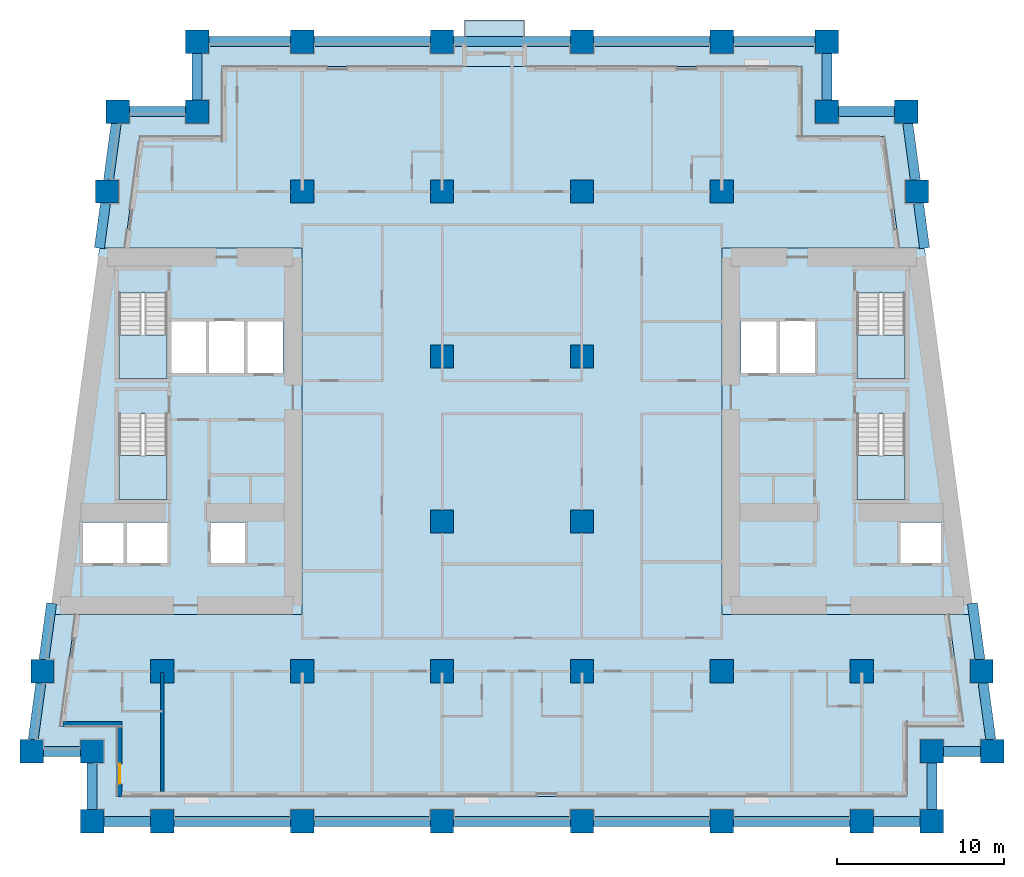
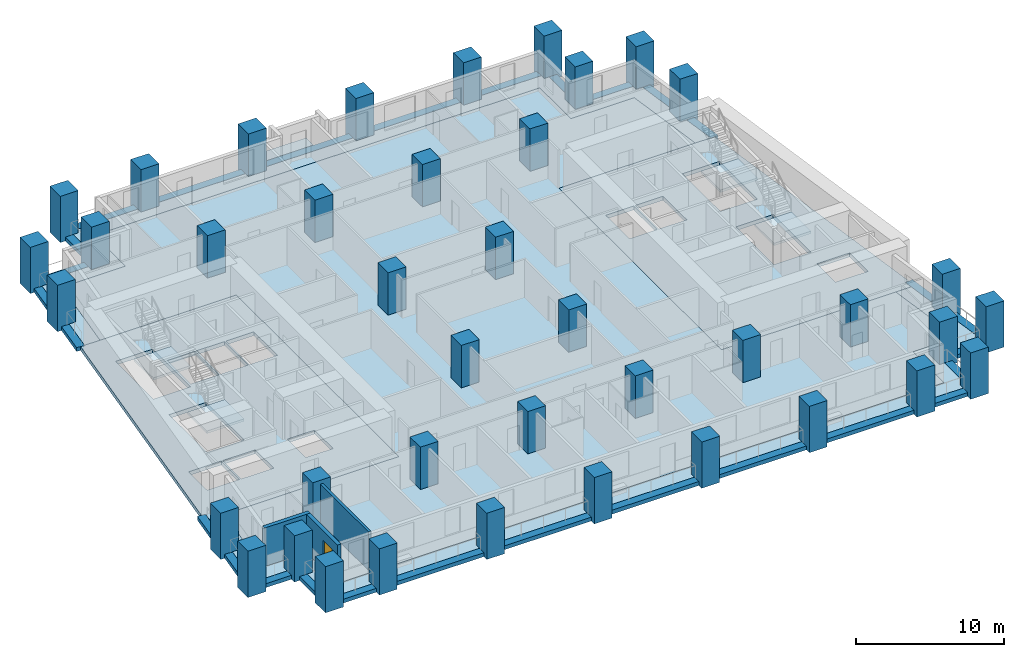
# One storey, part 1 of 12: 40 columns, 28 beams, 10 slabs, 3 walls, 1 door, 1 opening, 4 elements without a shape of their own.
"""IFC4 building model written with IfcOpenShell, lengths in metres."""

import ifcopenshell
import ifcopenshell.guid

model = None  # the IFC model being written
_history = None  # IfcOwnerHistory: only IFC2X3 demands one
_inside = {}  # id of a spatial element -> (the spatial element, [elements in it])
_under = {}  # id of a project, library or spatial element -> (it, [spatial elements below it])
_declared = {}  # id of a project -> (the project, [libraries it declares])
_typed = {}  # id of a type object -> (the type object, [elements of that type])
_made_of = {}  # id of a material, layer set ... -> (it, [elements and type objects made of it])


def new_model(schema):
    """Start an empty IFC model of exactly this schema.

    Asked for "IFC4X3", IfcOpenShell would pick the latest addendum, in which some entities
    have other attributes; the version numbers below select the first issue.
    IFC2X3 requires an IfcOwnerHistory on every rooted entity: one is made here for all.
    """
    global model, _history
    if schema == "IFC4X3":
        model = ifcopenshell.file(schema_version=(4, 3, 0, 0))
    else:
        model = ifcopenshell.file(schema=schema)
    _inside.clear()
    _under.clear()
    _declared.clear()
    _typed.clear()
    _made_of.clear()
    _history = None
    if model.schema == "IFC2X3":
        org = make("IfcOrganization", Name="unknown")
        user = make(
            "IfcPersonAndOrganization",
            ThePerson=make("IfcPerson", FamilyName="unknown"),
            TheOrganization=org,
        )
        app = make(
            "IfcApplication",
            ApplicationDeveloper=org,
            Version="unknown",
            ApplicationFullName="unknown",
            ApplicationIdentifier="unknown",
        )
        _history = make(
            "IfcOwnerHistory",
            OwningUser=user,
            OwningApplication=app,
            ChangeAction="ADDED",
            CreationDate=0,
        )
    return model


def make(cls, **values):
    """One entity of the class cls with the attributes given. An attribute that is None is left unset."""
    return model.create_entity(
        cls, **{name: value for name, value in values.items() if value is not None}
    )


def rooted(cls, **values):
    """An entity with a GlobalId (a new one), such as an element, a storey or a relation."""
    return make(cls, GlobalId=ifcopenshell.guid.new(), OwnerHistory=_history, **values)


def si_unit(unit_type, name, prefix=None):
    """IfcSIUnit, for example si_unit("LENGTHUNIT", "METRE", prefix="MILLI")."""
    return make("IfcSIUnit", UnitType=unit_type, Prefix=prefix, Name=name)


def assignment(units):
    """IfcUnitAssignment: the units of a project."""
    return None if units is None else make("IfcUnitAssignment", Units=units)


def point(xyz):
    """IfcCartesianPoint."""
    return None if xyz is None else make("IfcCartesianPoint", Coordinates=xyz)


def direction(xyz):
    """IfcDirection."""
    return None if xyz is None else make("IfcDirection", DirectionRatios=xyz)


def frame(location, z_axis=None, x_axis=None):
    """IfcAxis2Placement3D, a coordinate frame: its origin and axes. An axis left out is left unset."""
    return make(
        "IfcAxis2Placement3D",
        Location=point(location),
        Axis=direction(z_axis),
        RefDirection=direction(x_axis),
    )


def frame_2d(location, x_axis=None):
    """IfcAxis2Placement2D, a coordinate frame in the plane: its origin and x axis."""
    return make(
        "IfcAxis2Placement2D", Location=point(location), RefDirection=direction(x_axis)
    )


def origin():
    """The frame at (0, 0, 0) with its axes left unset."""
    return frame((0.0, 0.0, 0.0))


def origin_2d():
    """The frame at (0, 0) in the plane with its x axis left unset."""
    return frame_2d((0.0, 0.0))


def place(relative_to, where):
    """IfcLocalPlacement: puts the frame where relative to a parent placement (None: the world)."""
    return make(
        "IfcLocalPlacement", PlacementRelTo=relative_to, RelativePlacement=where
    )


def context(
    kind, dimensions, precision=None, world=None, true_north=None, identifier=None
):
    """IfcGeometricRepresentationContext, for example the 3D "Model" context."""
    return make(
        "IfcGeometricRepresentationContext",
        ContextIdentifier=identifier,
        ContextType=kind,
        CoordinateSpaceDimension=dimensions,
        Precision=precision,
        WorldCoordinateSystem=world,
        TrueNorth=true_north,
    )


def subcontext(parent, identifier, kind, view, scale=None):
    """IfcGeometricRepresentationSubContext, for example "Body" below "Model"."""
    return make(
        "IfcGeometricRepresentationSubContext",
        ContextIdentifier=identifier,
        ContextType=kind,
        ParentContext=parent,
        TargetScale=scale,
        TargetView=view,
    )


def project(units=None, contexts=None):
    """IfcProject with its units and contexts."""
    return rooted(
        "IfcProject",
        Name="project",
        RepresentationContexts=contexts,
        UnitsInContext=assignment(units),
    )


def spatial(cls, under=None, at=None, **own):
    """A site, building, storey or space (cls), placed at a placement, below another one or the project."""
    s = rooted(cls, ObjectPlacement=at, **own)
    if under is not None:
        _under.setdefault(under.id(), (under, []))[1].append(s)
    return s


def polyline(points):
    """IfcPolyline through the points."""
    return make("IfcPolyline", Points=[point(p) for p in points])


def profile(cls, at=None, kind="AREA", **sizes):
    """A parametric profile (cls). Its sizes go by their IFC names, for example OverallWidth=200.0."""
    return make(cls, ProfileType=kind, Position=at, **sizes)


def rectangle(**sizes):
    """IfcRectangleProfileDef."""
    return profile("IfcRectangleProfileDef", **sizes)


def outline(outer, holes=None, kind="AREA"):
    """IfcArbitraryClosedProfileDef: a profile drawn as a closed curve; with holes, ...WithVoids."""
    if holes is None:
        return make("IfcArbitraryClosedProfileDef", ProfileType=kind, OuterCurve=outer)
    return make(
        "IfcArbitraryProfileDefWithVoids",
        ProfileType=kind,
        OuterCurve=outer,
        InnerCurves=holes,
    )


def extrude(swept, where, along, depth):
    """IfcExtrudedAreaSolid: the profile swept, set in the frame where, extruded along a direction by depth."""
    return make(
        "IfcExtrudedAreaSolid",
        SweptArea=swept,
        Position=where,
        ExtrudedDirection=direction(along),
        Depth=depth,
    )


def shape(context_of_items, identifier, shape_type, items):
    """IfcShapeRepresentation: the items that make up one representation, for example the "Body"."""
    return make(
        "IfcShapeRepresentation",
        ContextOfItems=context_of_items,
        RepresentationIdentifier=identifier,
        RepresentationType=shape_type,
        Items=items,
    )


def material(Name=None, Category=None):
    """IfcMaterial."""
    return make("IfcMaterial", Name=Name, Category=Category)


def layer(
    of_material, thickness, ventilated=None, Name=None, Category=None, Priority=None
):
    """IfcMaterialLayer: one layer of a wall or slab, of a material (None: an air gap)."""
    return make(
        "IfcMaterialLayer",
        Material=of_material,
        LayerThickness=thickness,
        IsVentilated=ventilated,
        Name=Name,
        Category=Category,
        Priority=Priority,
    )


def layer_set(layers, Name=None):
    """IfcMaterialLayerSet."""
    return make("IfcMaterialLayerSet", MaterialLayers=layers, LayerSetName=Name)


def material_profile(
    of_material, cross_section, Name=None, Category=None, Priority=None
):
    """IfcMaterialProfile: a cross section and its material."""
    return make(
        "IfcMaterialProfile",
        Name=Name,
        Material=of_material,
        Profile=cross_section,
        Priority=Priority,
        Category=Category,
    )


def profile_set(profiles, Name=None, composite=None):
    """IfcMaterialProfileSet."""
    return make(
        "IfcMaterialProfileSet",
        Name=Name,
        MaterialProfiles=profiles,
        CompositeProfile=composite,
    )


def made_of(thing, what):
    """Note that an element or type object is made of a material, layer set ...; save() writes the relation."""
    if what is not None:
        _made_of.setdefault(what.id(), (what, []))[1].append(thing)
    return thing


def type_object(cls, material=None, **own):
    """A type object (cls), such as IfcWallType, which elements share."""
    return made_of(rooted(cls, **own), material)


def element(
    cls,
    number,
    at=None,
    inside=None,
    cuts=None,
    type_object=None,
    material=None,
    context=None,
    identifier="Body",
    shape_type=None,
    held_by="IfcProductDefinitionShape",
    body=None,
    shapes=None,
    **own,
):
    """One element of the class cls, such as IfcWall. Its Tag is "e" and its number.

    at: its placement. inside: the storey or other place that contains it. cuts: it is an
    opening in that element (IfcRelVoidsElement). A single representation is given by context,
    identifier, shape_type and body (its items); several are given by shapes. held_by: the class
    of the entity that holds the representations. save() writes the other relations.
    """
    e = rooted(cls, Tag="e%d" % number, ObjectPlacement=at, **own)
    if body is not None:
        shapes = [shape(context, identifier, shape_type, body)]
    if shapes is not None:
        e.Representation = make(held_by, Representations=shapes)
    if inside is not None:
        _inside.setdefault(inside.id(), (inside, []))[1].append(e)
    if cuts is not None:
        rooted(
            "IfcRelVoidsElement", RelatingBuildingElement=cuts, RelatedOpeningElement=e
        )
    if type_object is not None:
        _typed.setdefault(type_object.id(), (type_object, []))[1].append(e)
    return made_of(e, material)


def fill(opening, filler):
    """IfcRelFillsElement: the door or window that sits in an opening."""
    return rooted(
        "IfcRelFillsElement",
        RelatingOpeningElement=opening,
        RelatedBuildingElement=filler,
    )


def aggregate(whole, parts):
    """IfcRelAggregates: a whole, such as a stair, and the parts it consists of."""
    return rooted("IfcRelAggregates", RelatingObject=whole, RelatedObjects=parts)


def save(model, path):
    """Write the relations noted so far, then the file.

    IfcRelAggregates (storeys below a building ...), IfcRelContainedInSpatialStructure (elements
    in a storey), IfcRelDefinesByType, IfcRelAssociatesMaterial and IfcRelDeclares: one each for
    every whole, place, type object, material and project.
    """
    for whole, parts in _under.values():
        aggregate(whole, parts)
    for where, things in _inside.values():
        rooted(
            "IfcRelContainedInSpatialStructure",
            RelatedElements=things,
            RelatingStructure=where,
        )
    for kind, things in _typed.values():
        rooted("IfcRelDefinesByType", RelatedObjects=things, RelatingType=kind)
    for what, things in _made_of.values():
        rooted("IfcRelAssociatesMaterial", RelatedObjects=things, RelatingMaterial=what)
    for by, libraries in _declared.values():
        rooted("IfcRelDeclares", RelatingContext=by, RelatedDefinitions=libraries)
    model.write(path)


model = new_model("IFC4")

# Units and contexts
model_context = context("Model", 3, precision=1e-05, world=origin(), true_north=direction((0.0, 1.0)))
body_context = subcontext(model_context, "Body", "Model", "MODEL_VIEW")
ifc_project = project(units=[si_unit("LENGTHUNIT", "METRE"), si_unit("AREAUNIT", "SQUARE_METRE"), si_unit("VOLUMEUNIT", "CUBIC_METRE"), si_unit("PLANEANGLEUNIT", "RADIAN"), si_unit("MASSUNIT", "GRAM", prefix="KILO")], contexts=[model_context])

# Site, building, storey
site_placement = place(None, origin())
site = spatial("IfcSite", under=ifc_project, at=site_placement, CompositionType="ELEMENT")
building_placement = place(site_placement, origin())
building = spatial("IfcBuilding", under=site, at=building_placement, Name="Candeia Pilgrim Tower and Theatre", CompositionType="ELEMENT")
storey_placement = place(building_placement, frame((0.0, 0.0, 39.0)))
storey = spatial("IfcBuildingStorey", under=building, at=storey_placement, Name="L06", CompositionType="ELEMENT", Elevation=39.0)

# Columns
ifc_material_1 = material(Name="Concrete C80/95", Category="concrete")
ifc_material_profile_1 = material_profile(ifc_material_1, rectangle(XDim=1.39990234375, YDim=1.39990234375, at=origin_2d()))
ifc_profile_set_1 = profile_set([ifc_material_profile_1], Name="Concrete C80/95")
column_type = type_object("IfcColumnType", Name="RC 1400x1400 C80/95", PredefinedType="COLUMN", material=ifc_profile_set_1)
for number, where, z_axis, x_axis, name in (
    (1, (92.39990234375, 98.0, -0.320068359375), (0.0, 0.0, 1.0), (1.0, 0.0, 0.0), "Column A1"),
    (2, (100.800048828125, 98.0, -0.320068359375), (0.0, 0.0, 1.0), (1.0, 0.0, 0.0), "Column A2"),
    (3, (109.199951171875, 98.0, -0.320068359375), (0.0, 0.0, 1.0), (1.0, 0.0, 0.0), "Column A3"),
    (4, (117.60009765625, 98.0, -0.320068359375), (0.0, 0.0, 1.0), (1.0, 0.0, 0.0), "Column A4"),
    (5, (126.0, 98.0, -0.320068359375), (0.0, 0.0, 1.0), (1.0, 0.0, 0.0), "Column A5"),
    (6, (134.39990234375, 98.0, -0.320068359375), (0.0, 0.0, 1.0), (1.0, 0.0, 0.0), "Column A6"),
    (7, (88.199951171875, 98.0, -0.320068359375), (0.0, 0.0, 1.0), (1.0, 0.0, 0.0), "Column AW"),
    (8, (138.60009765625, 98.0, -0.320068359375), (0.0, 0.0, 1.0), (1.0, 0.0, 0.0), "Column AE"),
    (9, (88.199951171875, 102.199951171875, -0.320068359375), (0.0, 0.0, 1.0), (1.0, 0.0, 0.0), "Column NSW"),
    (10, (138.60009765625, 102.199951171875, -0.320068359375), (0.0, 0.0, 1.0), (1.0, 0.0, 0.0), "Column NSE"),
    (11, (94.5, 140.60009765625, -0.320068359375), (0.0, 0.0, 1.0), (1.0, 0.0, 0.0), "Column NNW"),
    (12, (132.300048828125, 140.60009765625, -0.320068359375), (0.0, 0.0, 1.0), (1.0, 0.0, 0.0), "Column NNE"),
    (13, (84.5654296875, 102.199951171875, -0.320068359375), (0.0, 0.0, 1.0), (1.0, 0.0, 0.0), "Column LSW"),
    (14, (142.234619140625, 102.199951171875, -0.320068359375), (0.0, 0.0, 1.0), (1.0, 0.0, 0.0), "Column LSE"),
    (15, (89.734619140625, 140.60009765625, -0.320068359375), (0.0, 0.0, 1.0), (1.0, 0.0, 0.0), "Column LNW"),
    (16, (137.0654296875, 140.60009765625, -0.320068359375), (0.0, 0.0, 1.0), (1.0, 0.0, 0.0), "Column LNE"),
    (17, (92.39990234375, 107.0, -0.320068359375), (0.0, 0.0, 1.0), (1.0, 0.0, 0.0), "Column B1"),
    (18, (100.800048828125, 107.0, -0.320068359375), (0.0, 0.0, 1.0), (1.0, 0.0, 0.0), "Column B2"),
    (19, (109.199951171875, 107.0, -0.320068359375), (0.0, 0.0, 1.0), (1.0, 0.0, 0.0), "Column B3"),
    (20, (117.60009765625, 107.0, -0.320068359375), (0.0, 0.0, 1.0), (1.0, 0.0, 0.0), "Column B4"),
    (21, (126.0, 107.0, -0.320068359375), (0.0, 0.0, 1.0), (1.0, 0.0, 0.0), "Column B5"),
    (22, (134.39990234375, 107.0, -0.320068359375), (0.0, 0.0, 1.0), (1.0, 0.0, 0.0), "Column B6"),
    (23, (85.21142578125, 107.0, -0.320068359375), (0.0, 0.0, 1.0), (1.0, 0.0, 0.0), "Column BW"),
    (24, (141.58837890625, 107.0, -0.320068359375), (0.0, 0.0, 1.0), (1.0, 0.0, 0.0), "Column BE"),
    (25, (109.199951171875, 116.0, -0.320068359375), (0.0, 0.0, 1.0), (1.0, 0.0, 0.0), "Column C3"),
    (26, (117.60009765625, 116.0, -0.320068359375), (0.0, 0.0, 1.0), (1.0, 0.0, 0.0), "Column C4"),
    (27, (109.199951171875, 125.89990234375, -0.320068359375), (0.0, 0.0, 1.0), (1.0, 0.0, 0.0), "Column D3"),
    (28, (117.60009765625, 125.89990234375, -0.320068359375), (0.0, 0.0, 1.0), (1.0, 0.0, 0.0), "Column D4"),
    (29, (100.800048828125, 135.800048828125, -0.320068359375), (0.0, 0.0, 1.0), (1.0, 0.0, 0.0), "Column E2"),
    (30, (109.199951171875, 135.800048828125, -0.320068359375), (0.0, 0.0, 1.0), (1.0, 0.0, 0.0), "Column E3"),
    (31, (117.60009765625, 135.800048828125, -0.320068359375), (0.0, 0.0, 1.0), (1.0, 0.0, 0.0), "Column E4"),
    (32, (126.0, 135.800048828125, -0.320068359375), (0.0, 0.0, 1.0), (1.0, 0.0, 0.0), "Column E5"),
    (33, (89.08837890625, 135.800048828125, -0.320068359375), (0.0, 0.0, 1.0), (1.0, 0.0, 0.0), "Column EW"),
    (34, (137.71142578125, 135.800048828125, -0.320068359375), (0.0, 0.0, 1.0), (1.0, 0.0, 0.0), "Column EE"),
    (35, (100.800048828125, 144.800048828125, -0.320068359375), (0.0, 0.0, 1.0), (1.0, 0.0, 0.0), "Column F2"),
    (36, (109.199951171875, 144.800048828125, -0.320068359375), (0.0, 0.0, 1.0), (1.0, 0.0, 0.0), "Column F3"),
    (37, (117.60009765625, 144.800048828125, -0.320068359375), (0.0, 0.0, 1.0), (1.0, 0.0, 0.0), "Column F4"),
    (38, (126.0, 144.800048828125, -0.320068359375), (0.0, 0.0, 1.0), (1.0, 0.0, 0.0), "Column F5"),
    (39, (94.5, 144.800048828125, -0.320068359375), (0.0, 0.0, 1.0), (1.0, 0.0, 0.0), "Column FW"),
    (40, (132.300048828125, 144.800048828125, -0.320068359375), (0.0, 0.0, 1.0), (1.0, 0.0, 0.0), "Column FE"),
):
    element("IfcColumn", number, at=place(storey_placement, frame(where, z_axis=z_axis, x_axis=x_axis)), inside=storey, type_object=column_type, Name=name, PredefinedType="COLUMN", context=body_context, shape_type="SweptSolid", body=[
        extrude(rectangle(XDim=1.39990234375, YDim=1.39990234375, at=origin_2d()), origin(), (0.0, 0.0, 1.0), 3.820068359375),
    ])

# Beams
ifc_material_profile_2 = material_profile(ifc_material_1, rectangle(XDim=0.60009765625, YDim=0.320068359375, at=origin_2d()))
ifc_profile_set_2 = profile_set([ifc_material_profile_2], Name="Concrete C80/95")
beam_type = type_object("IfcBeamType", Name="RC 600x320 C80/95", PredefinedType="BEAM", material=ifc_profile_set_2)
beam_1_placement = place(storey_placement, frame((88.89990234375, 98.0, -0.159912109375), z_axis=(1.0, 0.0, 0.0), x_axis=(0.0, 1.0, 0.0)))
element("IfcBeam", 41, at=beam_1_placement, inside=storey, type_object=beam_type, Name="Spandrel beam L06-01", PredefinedType="BEAM", context=body_context, shape_type="SweptSolid", body=[
    extrude(rectangle(XDim=0.60009765625, YDim=0.320068359375, at=origin_2d()), origin(), (0.0, 0.0, 1.0), 2.800048828125),
])
for number, where, z_axis, x_axis, name in (
    (42, (93.10009765625, 98.0, -0.159912109375), (1.0, 0.0, 0.0), (0.0, 1.0, 0.0), "Spandrel beam L06-02"),
    (43, (101.5, 98.0, -0.159912109375), (1.0, 0.0, 0.0), (0.0, 1.0, 0.0), "Spandrel beam L06-03"),
    (44, (109.89990234375, 98.0, -0.159912109375), (1.0, 0.0, 0.0), (0.0, 1.0, 0.0), "Spandrel beam L06-04"),
    (45, (118.300048828125, 98.0, -0.159912109375), (1.0, 0.0, 0.0), (0.0, 1.0, 0.0), "Spandrel beam L06-05"),
    (46, (126.699951171875, 98.0, -0.159912109375), (1.0, 0.0, 0.0), (0.0, 1.0, 0.0), "Spandrel beam L06-06"),
):
    element("IfcBeam", number, at=place(storey_placement, frame(where, z_axis=z_axis, x_axis=x_axis)), inside=storey, type_object=beam_type, Name=name, PredefinedType="BEAM", context=body_context, shape_type="SweptSolid", body=[
        extrude(rectangle(XDim=0.60009765625, YDim=0.320068359375, at=origin_2d()), origin(), (0.0, 0.0, 1.0), 7.0),
    ])
beam_2_placement = place(storey_placement, frame((135.10009765625, 98.0, -0.159912109375), z_axis=(1.0, 0.0, 0.0), x_axis=(0.0, 1.0, 0.0)))
element("IfcBeam", 47, at=beam_2_placement, inside=storey, type_object=beam_type, Name="Spandrel beam L06-07", PredefinedType="BEAM", context=body_context, shape_type="SweptSolid", body=[
    extrude(rectangle(XDim=0.60009765625, YDim=0.320068359375, at=origin_2d()), origin(), (0.0, 0.0, 1.0), 2.7998046875),
])
beam_3_placement = place(storey_placement, frame((138.60009765625, 98.699951171875, -0.159912109375), z_axis=(0.0, 1.0, 0.0), x_axis=(-1.0, 0.0, 0.0)))
element("IfcBeam", 48, at=beam_3_placement, inside=storey, type_object=beam_type, Name="Spandrel beam L06-08", PredefinedType="BEAM", context=body_context, shape_type="SweptSolid", body=[
    extrude(rectangle(XDim=0.60009765625, YDim=0.320068359375, at=origin_2d()), origin(), (0.0, 0.0, 1.0), 2.800048828125),
])
beam_4_placement = place(storey_placement, frame((139.300048828125, 102.199951171875, -0.159912109375), z_axis=(1.0, 0.0, 0.0), x_axis=(0.0, 1.0, 0.0)))
element("IfcBeam", 49, at=beam_4_placement, inside=storey, type_object=beam_type, Name="Spandrel beam L06-09", PredefinedType="BEAM", context=body_context, shape_type="SweptSolid", body=[
    extrude(rectangle(XDim=0.60009765625, YDim=0.320068359375, at=origin_2d()), origin(), (0.0, 0.0, 1.0), 2.234619140625),
])
beam_5_placement = place(storey_placement, frame((142.140380859375, 102.89990234375, -0.159912109375), z_axis=(-0.133426797477, 0.991058671177, 0.0), x_axis=(-0.991058671177, -0.133426797477, 0.0)))
element("IfcBeam", 50, at=beam_5_placement, inside=storey, type_object=beam_type, Name="Spandrel beam L06-10", PredefinedType="BEAM", context=body_context, shape_type="SweptSolid", body=[
    extrude(rectangle(XDim=0.60009765625, YDim=0.320068359375, at=origin_2d()), origin(), (0.0, 0.0, 1.0), 3.430908203125),
])
beam_6_placement = place(storey_placement, frame((141.494140625, 107.699951171875, -0.159912109375), z_axis=(-0.13335928021, 0.991067758724, 0.0), x_axis=(-0.991067758724, -0.13335928021, 0.0)))
element("IfcBeam", 51, at=beam_6_placement, inside=storey, type_object=beam_type, Name="Spandrel beam L06-11", PredefinedType="BEAM", context=body_context, shape_type="SweptSolid", body=[
    extrude(rectangle(XDim=0.60009765625, YDim=0.320068359375, at=origin_2d()), origin(), (0.0, 0.0, 1.0), 3.41064453125),
])
beam_7_placement = place(storey_placement, frame((138.169189453125, 132.39990234375, -0.159912109375), z_axis=(-0.133425552527, 0.991058838784, 0.0), x_axis=(-0.991058838784, -0.133425552527, 0.0)))
element("IfcBeam", 52, at=beam_7_placement, inside=storey, type_object=beam_type, Name="Spandrel beam L06-12", PredefinedType="BEAM", context=body_context, shape_type="SweptSolid", body=[
    extrude(rectangle(XDim=0.60009765625, YDim=0.320068359375, at=origin_2d()), origin(), (0.0, 0.0, 1.0), 2.724609375),
])
beam_8_placement = place(storey_placement, frame((137.6171875, 136.5, -0.159912109375), z_axis=(-0.13336630817, 0.991066813008, 0.0), x_axis=(-0.991066813008, -0.13336630817, 0.0)))
element("IfcBeam", 53, at=beam_8_placement, inside=storey, type_object=beam_type, Name="Spandrel beam L06-13", PredefinedType="BEAM", context=body_context, shape_type="SweptSolid", body=[
    extrude(rectangle(XDim=0.60009765625, YDim=0.320068359375, at=origin_2d()), origin(), (0.0, 0.0, 1.0), 3.4306640625),
])
beam_9_placement = place(storey_placement, frame((136.365478515625, 140.60009765625, -0.159912109375), z_axis=(-1.0, 0.0, 0.0), x_axis=(0.0, -1.0, 0.0)))
element("IfcBeam", 54, at=beam_9_placement, inside=storey, type_object=beam_type, Name="Spandrel beam L06-14", PredefinedType="BEAM", context=body_context, shape_type="SweptSolid", body=[
    extrude(rectangle(XDim=0.60009765625, YDim=0.320068359375, at=origin_2d()), origin(), (0.0, 0.0, 1.0), 3.365478515625),
])
beam_10_placement = place(storey_placement, frame((132.300048828125, 141.300048828125, -0.159912109375), z_axis=(0.0, 1.0, 0.0), x_axis=(-1.0, 0.0, 0.0)))
element("IfcBeam", 55, at=beam_10_placement, inside=storey, type_object=beam_type, Name="Spandrel beam L06-15", PredefinedType="BEAM", context=body_context, shape_type="SweptSolid", body=[
    extrude(rectangle(XDim=0.60009765625, YDim=0.320068359375, at=origin_2d()), origin(), (0.0, 0.0, 1.0), 2.800048828125),
])
beam_11_placement = place(storey_placement, frame((131.60009765625, 144.800048828125, -0.159912109375), z_axis=(-1.0, 0.0, 0.0), x_axis=(0.0, -1.0, 0.0)))
element("IfcBeam", 56, at=beam_11_placement, inside=storey, type_object=beam_type, Name="Spandrel beam L06-16", PredefinedType="BEAM", context=body_context, shape_type="SweptSolid", body=[
    extrude(rectangle(XDim=0.60009765625, YDim=0.320068359375, at=origin_2d()), origin(), (0.0, 0.0, 1.0), 4.900146484375),
])
for number, where, z_axis, x_axis, name in (
    (57, (125.300048828125, 144.800048828125, -0.159912109375), (-1.0, 0.0, 0.0), (0.0, -1.0, 0.0), "Spandrel beam L06-17"),
    (58, (116.89990234375, 144.800048828125, -0.159912109375), (-1.0, 0.0, 0.0), (0.0, -1.0, 0.0), "Spandrel beam L06-18"),
    (59, (108.5, 144.800048828125, -0.159912109375), (-1.0, 0.0, 0.0), (0.0, -1.0, 0.0), "Spandrel beam L06-19"),
):
    element("IfcBeam", number, at=place(storey_placement, frame(where, z_axis=z_axis, x_axis=x_axis)), inside=storey, type_object=beam_type, Name=name, PredefinedType="BEAM", context=body_context, shape_type="SweptSolid", body=[
        extrude(rectangle(XDim=0.60009765625, YDim=0.320068359375, at=origin_2d()), origin(), (0.0, 0.0, 1.0), 7.0),
    ])
beam_12_placement = place(storey_placement, frame((100.10009765625, 144.800048828125, -0.159912109375), z_axis=(-1.0, 0.0, 0.0), x_axis=(0.0, -1.0, 0.0)))
element("IfcBeam", 60, at=beam_12_placement, inside=storey, type_object=beam_type, Name="Spandrel beam L06-20", PredefinedType="BEAM", context=body_context, shape_type="SweptSolid", body=[
    extrude(rectangle(XDim=0.60009765625, YDim=0.320068359375, at=origin_2d()), origin(), (0.0, 0.0, 1.0), 4.900146484375),
])
beam_13_placement = place(storey_placement, frame((94.5, 144.10009765625, -0.159912109375), z_axis=(0.0, -1.0, 0.0), x_axis=(1.0, 0.0, 0.0)))
element("IfcBeam", 61, at=beam_13_placement, inside=storey, type_object=beam_type, Name="Spandrel beam L06-21", PredefinedType="BEAM", context=body_context, shape_type="SweptSolid", body=[
    extrude(rectangle(XDim=0.60009765625, YDim=0.320068359375, at=origin_2d()), origin(), (0.0, 0.0, 1.0), 2.800048828125),
])
beam_14_placement = place(storey_placement, frame((93.800048828125, 140.60009765625, -0.159912109375), z_axis=(-1.0, 0.0, 0.0), x_axis=(0.0, -1.0, 0.0)))
element("IfcBeam", 62, at=beam_14_placement, inside=storey, type_object=beam_type, Name="Spandrel beam L06-22", PredefinedType="BEAM", context=body_context, shape_type="SweptSolid", body=[
    extrude(rectangle(XDim=0.60009765625, YDim=0.320068359375, at=origin_2d()), origin(), (0.0, 0.0, 1.0), 3.365478515625),
])
beam_15_placement = place(storey_placement, frame((89.640380859375, 139.89990234375, -0.159912109375), z_axis=(-0.133436208017, -0.991057404185, 0.0), x_axis=(0.991057404185, -0.133436208017, 0.0)))
element("IfcBeam", 63, at=beam_15_placement, inside=storey, type_object=beam_type, Name="Spandrel beam L06-23", PredefinedType="BEAM", context=body_context, shape_type="SweptSolid", body=[
    extrude(rectangle(XDim=0.60009765625, YDim=0.320068359375, at=origin_2d()), origin(), (0.0, 0.0, 1.0), 3.4306640625),
])
beam_16_placement = place(storey_placement, frame((88.994140625, 135.10009765625, -0.159912109375), z_axis=(-0.133337538686, -0.991070684047, 0.0), x_axis=(0.991070684047, -0.133337538686, 0.0)))
element("IfcBeam", 64, at=beam_16_placement, inside=storey, type_object=beam_type, Name="Spandrel beam L06-24", PredefinedType="BEAM", context=body_context, shape_type="SweptSolid", body=[
    extrude(rectangle(XDim=0.60009765625, YDim=0.320068359375, at=origin_2d()), origin(), (0.0, 0.0, 1.0), 2.724609375),
])
beam_17_placement = place(storey_placement, frame((85.7607421875, 111.080078125, -0.159912109375), z_axis=(-0.1334295892, -0.991058295322, 0.0), x_axis=(0.991058295322, -0.1334295892, 0.0)))
element("IfcBeam", 65, at=beam_17_placement, inside=storey, type_object=beam_type, Name="Spandrel beam L06-25", PredefinedType="BEAM", context=body_context, shape_type="SweptSolid", body=[
    extrude(rectangle(XDim=0.60009765625, YDim=0.320068359375, at=origin_2d()), origin(), (0.0, 0.0, 1.0), 3.41064453125),
])
beam_18_placement = place(storey_placement, frame((85.1171875, 106.300048828125, -0.159912109375), z_axis=(-0.133356902381, -0.991068078685, 0.0), x_axis=(0.991068078685, -0.133356902381, 0.0)))
element("IfcBeam", 66, at=beam_18_placement, inside=storey, type_object=beam_type, Name="Spandrel beam L06-26", PredefinedType="BEAM", context=body_context, shape_type="SweptSolid", body=[
    extrude(rectangle(XDim=0.60009765625, YDim=0.320068359375, at=origin_2d()), origin(), (0.0, 0.0, 1.0), 3.430908203125),
])
beam_19_placement = place(storey_placement, frame((85.265380859375, 102.199951171875, -0.159912109375), z_axis=(1.0, 0.0, 0.0), x_axis=(0.0, 1.0, 0.0)))
element("IfcBeam", 67, at=beam_19_placement, inside=storey, type_object=beam_type, Name="Spandrel beam L06-27", PredefinedType="BEAM", context=body_context, shape_type="SweptSolid", body=[
    extrude(rectangle(XDim=0.60009765625, YDim=0.320068359375, at=origin_2d()), origin(), (0.0, 0.0, 1.0), 2.234619140625),
])
beam_20_placement = place(storey_placement, frame((88.199951171875, 101.5, -0.159912109375), z_axis=(0.0, -1.0, 0.0), x_axis=(1.0, 0.0, 0.0)))
element("IfcBeam", 68, at=beam_20_placement, inside=storey, type_object=beam_type, Name="Spandrel beam L06-28", PredefinedType="BEAM", context=body_context, shape_type="SweptSolid", body=[
    extrude(rectangle(XDim=0.60009765625, YDim=0.320068359375, at=origin_2d()), origin(), (0.0, 0.0, 1.0), 2.800048828125),
])

# Slabs
ifc_material_2 = material(Name="Concrete C40/50", Category="concrete")
ifc_layer_1 = layer(ifc_material_2, 0.25)
ifc_layer_set_1 = layer_set([ifc_layer_1], Name="BK1 balcony slab 250")
slab_type_1 = type_object("IfcSlabType", Name="BK1 balcony slab 250", PredefinedType="USERDEFINED", material=ifc_layer_set_1)
slab_1_placement = place(storey_placement, frame((0.0, 0.0, -0.25)))
element("IfcSlab", 69, at=slab_1_placement, inside=storey, type_object=slab_type_1, Name="Balcony L06", ObjectType="BALCONY", PredefinedType="USERDEFINED", context=body_context, shape_type="SweptSolid", body=[
    extrude(outline(polyline([(110.550048828125, 144.5), (114.14990234375, 144.5), (114.14990234375, 146.10009765625), (110.550048828125, 146.10009765625), (110.550048828125, 144.5)])), origin(), (0.0, 0.0, 1.0), 0.25),
])
ifc_material_3 = material(Name="Concrete C60/75", Category="concrete")
ifc_layer_2 = layer(ifc_material_3, 0.320068359375)
ifc_layer_set_2 = layer_set([ifc_layer_2], Name="FS-CORE 320 core floor")
slab_type_2 = type_object("IfcSlabType", Name="FS-CORE 320 core floor", PredefinedType="FLOOR", material=ifc_layer_set_2)
slab_2_placement = place(storey_placement, frame((0.0, 0.0, -0.320068359375)))
element("IfcSlab", 70, at=slab_2_placement, inside=storey, type_object=slab_type_2, Name="Core floor W L06", PredefinedType="FLOOR", context=body_context, shape_type="SweptSolid", body=[
    extrude(outline(polyline([(100.800048828125, 132.39990234375), (100.800048828125, 110.39990234375), (85.669189453125, 110.39990234375), (88.630859375, 132.39990234375), (100.800048828125, 132.39990234375)]), holes=[polyline([(97.458984375, 128.050048828125), (97.458984375, 124.85009765625), (99.64990234375, 124.85009765625), (99.64990234375, 128.050048828125), (97.458984375, 128.050048828125)]), polyline([(95.277099609375, 115.949951171875), (95.277099609375, 113.449951171875), (97.41357421875, 113.449951171875), (97.41357421875, 115.949951171875), (95.277099609375, 115.949951171875)]), polyline([(95.16796875, 128.050048828125), (95.16796875, 124.85009765625), (97.35888671875, 124.85009765625), (97.35888671875, 128.050048828125), (95.16796875, 128.050048828125)]), polyline([(92.876953125, 128.050048828125), (92.876953125, 124.85009765625), (95.068115234375, 124.85009765625), (95.068115234375, 128.050048828125), (92.876953125, 128.050048828125)]), polyline([(90.228515625, 115.949951171875), (90.228515625, 113.449951171875), (92.777099609375, 113.449951171875), (92.777099609375, 115.949951171875), (90.228515625, 115.949951171875)]), polyline([(89.802001953125, 122.455078125), (89.802001953125, 117.324951171875), (92.701904296875, 117.324951171875), (92.701904296875, 122.455078125), (89.802001953125, 122.455078125)]), polyline([(89.802001953125, 129.705078125), (89.802001953125, 124.574951171875), (92.701904296875, 124.574951171875), (92.701904296875, 129.705078125), (89.802001953125, 129.705078125)]), polyline([(87.580078125, 115.949951171875), (87.580078125, 113.449951171875), (90.12841796875, 113.449951171875), (90.12841796875, 115.949951171875), (87.580078125, 115.949951171875)])]), origin(), (0.0, 0.0, 1.0), 0.320068359375),
])
slab_3_placement = place(storey_placement, frame((0.0, 0.0, -0.320068359375)))
element("IfcSlab", 71, at=slab_3_placement, inside=storey, type_object=slab_type_2, Name="Core floor E L06", PredefinedType="FLOOR", context=body_context, shape_type="SweptSolid", body=[
    extrude(outline(polyline([(138.169189453125, 132.39990234375), (141.130859375, 110.39990234375), (126.0, 110.39990234375), (126.0, 132.39990234375), (138.169189453125, 132.39990234375)]), holes=[polyline([(136.67138671875, 115.949951171875), (136.67138671875, 113.449951171875), (139.219970703125, 113.449951171875), (139.219970703125, 115.949951171875), (136.67138671875, 115.949951171875)]), polyline([(134.097900390625, 117.324951171875), (136.998046875, 117.324951171875), (136.998046875, 122.455078125), (134.097900390625, 122.455078125), (134.097900390625, 117.324951171875)]), polyline([(134.097900390625, 129.705078125), (134.097900390625, 124.574951171875), (136.998046875, 124.574951171875), (136.998046875, 129.705078125), (134.097900390625, 129.705078125)]), polyline([(131.632080078125, 128.050048828125), (129.44091796875, 128.050048828125), (129.44091796875, 124.85009765625), (131.632080078125, 124.85009765625), (131.632080078125, 128.050048828125)]), polyline([(127.14990234375, 128.050048828125), (127.14990234375, 124.85009765625), (129.341064453125, 124.85009765625), (129.341064453125, 128.050048828125), (127.14990234375, 128.050048828125)])]), origin(), (0.0, 0.0, 1.0), 0.320068359375),
])
ifc_material_4 = material(Name="Concrete C50/60", Category="concrete")
ifc_layer_3 = layer(ifc_material_4, 0.320068359375)
ifc_layer_set_3 = layer_set([ifc_layer_3], Name="Floor slab 320 C50/60")
slab_type_3 = type_object("IfcSlabType", Name="Floor slab 320 C50/60", PredefinedType="FLOOR", material=ifc_layer_set_3)
slab_4_placement = place(storey_placement, frame((0.0, 0.0, -0.320068359375)))
element("IfcSlab", 72, at=slab_4_placement, inside=storey, type_object=slab_type_3, Name="Floor slab L06", PredefinedType="FLOOR", context=body_context, shape_type="SweptSolid", body=[
    extrude(outline(polyline([(96.0, 139.10009765625), (96.0, 143.300048828125), (130.800048828125, 143.300048828125), (130.800048828125, 139.10009765625), (135.753662109375, 139.10009765625), (136.65576171875, 132.39990234375), (126.0, 132.39990234375), (126.0, 110.39990234375), (139.6171875, 110.39990234375), (140.51904296875, 103.699951171875), (137.10009765625, 103.699951171875), (137.10009765625, 99.5), (89.699951171875, 99.5), (89.699951171875, 103.699951171875), (86.28076171875, 103.699951171875), (87.182861328125, 110.39990234375), (100.800048828125, 110.39990234375), (100.800048828125, 132.39990234375), (90.144287109375, 132.39990234375), (91.046142578125, 139.10009765625), (96.0, 139.10009765625)])), origin(), (0.0, 0.0, 1.0), 0.320068359375),
])
ifc_layer_4 = layer(ifc_material_2, 0.25)
ifc_layer_set_4 = layer_set([ifc_layer_4], Name="Loggia slab 250 C40/50")
slab_type_4 = type_object("IfcSlabType", Name="Loggia slab 250 C40/50", PredefinedType="FLOOR", material=ifc_layer_set_4)
slab_5_placement = place(storey_placement, frame((0.0, 0.0, -0.25)))
element("IfcSlab", 73, at=slab_5_placement, inside=storey, type_object=slab_type_4, Name="Loggia slab L06 1", PredefinedType="FLOOR", context=body_context, shape_type="SweptSolid", body=[
    extrude(outline(polyline([(87.182861328125, 110.39990234375), (86.28076171875, 103.699951171875), (89.699951171875, 103.699951171875), (89.699951171875, 99.5), (137.10009765625, 99.5), (137.10009765625, 103.699951171875), (140.51904296875, 103.699951171875), (139.6171875, 110.39990234375), (140.828125, 110.39990234375), (141.8916015625, 102.5), (138.300048828125, 102.5), (138.300048828125, 98.300048828125), (88.5, 98.300048828125), (88.5, 102.5), (84.908447265625, 102.5), (85.971923828125, 110.39990234375), (87.182861328125, 110.39990234375)])), origin(), (0.0, 0.0, 1.0), 0.25),
])
slab_6_placement = place(storey_placement, frame((0.0, 0.0, -0.25)))
element("IfcSlab", 74, at=slab_6_placement, inside=storey, type_object=slab_type_4, Name="Loggia slab L06 2", PredefinedType="FLOOR", context=body_context, shape_type="SweptSolid", body=[
    extrude(outline(polyline([(136.65576171875, 132.39990234375), (135.753662109375, 139.10009765625), (130.800048828125, 139.10009765625), (130.800048828125, 143.300048828125), (96.0, 143.300048828125), (96.0, 139.10009765625), (91.046142578125, 139.10009765625), (90.144287109375, 132.39990234375), (88.93359375, 132.39990234375), (89.996826171875, 140.300048828125), (94.800048828125, 140.300048828125), (94.800048828125, 144.5), (132.0, 144.5), (132.0, 140.300048828125), (136.802978515625, 140.300048828125), (137.866455078125, 132.39990234375), (136.65576171875, 132.39990234375)])), origin(), (0.0, 0.0, 1.0), 0.25),
])

# Stair, slab
stair_type = type_object("IfcStairType", Name="ST-TWR dog-leg escape stair", PredefinedType="HALF_TURN_STAIR", material=ifc_material_2)
stair_1_placement = place(storey_placement, origin())
stair_1 = element("IfcStair", 75, at=stair_1_placement, inside=storey, type_object=stair_type, Name="L06 Escape stair ST1", PredefinedType="HALF_TURN_STAIR")
ifc_layer_5 = layer(ifc_material_2, 0.199951171875)
ifc_layer_set_5 = layer_set([ifc_layer_5], Name="SL-LANDING stair landing")
slab_type_5 = type_object("IfcSlabType", Name="SL-LANDING stair landing", PredefinedType="LANDING", material=ifc_layer_set_5)
slab_7_placement = place(storey_placement, frame((0.0, 0.0, 1.550048828125)))
slab_7 = element("IfcSlab", 76, at=slab_7_placement, type_object=slab_type_5, Name="ST1 landing 1", PredefinedType="LANDING", context=body_context, shape_type="SweptSolid", body=[
    extrude(outline(polyline([(89.802001953125, 119.955078125), (89.802001953125, 117.324951171875), (92.701904296875, 117.324951171875), (92.701904296875, 119.955078125), (89.802001953125, 119.955078125)])), origin(), (0.0, 0.0, 1.0), 0.199951171875),
])
aggregate(stair_1, [slab_7])

stair_2_placement = place(storey_placement, origin())
stair_2 = element("IfcStair", 77, at=stair_2_placement, inside=storey, type_object=stair_type, Name="L06 Escape stair ST2", PredefinedType="HALF_TURN_STAIR")
slab_8_placement = place(storey_placement, frame((0.0, 0.0, 1.550048828125)))
slab_8 = element("IfcSlab", 78, at=slab_8_placement, type_object=slab_type_5, Name="ST2 landing 1", PredefinedType="LANDING", context=body_context, shape_type="SweptSolid", body=[
    extrude(outline(polyline([(89.802001953125, 127.205078125), (89.802001953125, 124.574951171875), (92.701904296875, 124.574951171875), (92.701904296875, 127.205078125), (89.802001953125, 127.205078125)])), origin(), (0.0, 0.0, 1.0), 0.199951171875),
])
aggregate(stair_2, [slab_8])

stair_3_placement = place(storey_placement, origin())
stair_3 = element("IfcStair", 79, at=stair_3_placement, inside=storey, type_object=stair_type, Name="L06 Escape stair ST3", PredefinedType="HALF_TURN_STAIR")
slab_9_placement = place(storey_placement, frame((0.0, 0.0, 1.550048828125)))
slab_9 = element("IfcSlab", 80, at=slab_9_placement, type_object=slab_type_5, Name="ST3 landing 1", PredefinedType="LANDING", context=body_context, shape_type="SweptSolid", body=[
    extrude(outline(polyline([(134.097900390625, 119.955078125), (134.097900390625, 117.324951171875), (136.998046875, 117.324951171875), (136.998046875, 119.955078125), (134.097900390625, 119.955078125)])), origin(), (0.0, 0.0, 1.0), 0.199951171875),
])
aggregate(stair_3, [slab_9])

stair_4_placement = place(storey_placement, origin())
stair_4 = element("IfcStair", 81, at=stair_4_placement, inside=storey, type_object=stair_type, Name="L06 Escape stair ST4", PredefinedType="HALF_TURN_STAIR")
slab_10_placement = place(storey_placement, frame((0.0, 0.0, 1.550048828125)))
slab_10 = element("IfcSlab", 82, at=slab_10_placement, type_object=slab_type_5, Name="ST4 landing 1", PredefinedType="LANDING", context=body_context, shape_type="SweptSolid", body=[
    extrude(outline(polyline([(134.097900390625, 127.205078125), (134.097900390625, 124.574951171875), (136.998046875, 124.574951171875), (136.998046875, 127.205078125), (134.097900390625, 127.205078125)])), origin(), (0.0, 0.0, 1.0), 0.199951171875),
])
aggregate(stair_4, [slab_10])

# Wall
ifc_material_5 = material(Name="Ceramic block masonry", Category="masonry")
ifc_layer_6 = layer(ifc_material_5, 0.300048828125)
ifc_layer_set_6 = layer_set([ifc_layer_6], Name="EW1 glazing-line wall 300")
wall_type_1 = type_object("IfcWallType", Name="EW1 glazing-line wall 300", PredefinedType="SOLIDWALL", material=ifc_layer_set_6)
wall_1_placement = place(storey_placement, frame((86.452392578125, 103.85009765625, 0.0), z_axis=(0.0, 0.0, 1.0), x_axis=(1.0, 0.0, 0.0)))
element("IfcWall", 83, at=wall_1_placement, inside=storey, type_object=wall_type_1, Name="External wall L06-10.0", PredefinedType="SOLIDWALL", context=body_context, shape_type="SweptSolid", body=[
    extrude(rectangle(XDim=3.547607421875, YDim=0.300048828125, at=frame_2d((1.77392578125, 0.0))), origin(), (0.0, 0.0, 1.0), 3.179931640625),
])

# Wall, opening, door
wall_2_placement = place(storey_placement, frame((89.85009765625, 103.85009765625, 0.0), z_axis=(0.0, 0.0, 1.0), x_axis=(0.0, -1.0, 0.0)))
wall_2 = element("IfcWall", 84, at=wall_2_placement, inside=storey, type_object=wall_type_1, Name="External wall L06-11.0", PredefinedType="SOLIDWALL", context=body_context, shape_type="SweptSolid", body=[
    extrude(rectangle(XDim=4.35009765625, YDim=0.300048828125, at=frame_2d((2.175048828125, 0.0))), origin(), (0.0, 0.0, 1.0), 3.179931640625),
])
opening_placement = place(wall_2_placement, frame((2.39990234375, 0.0, 0.0)))
opening = element("IfcOpeningElement", 85, at=opening_placement, cuts=wall_2, Name="Opening L06-ED091", PredefinedType="OPENING", context=body_context, shape_type="SweptSolid", body=[
    extrude(rectangle(XDim=1.199951171875, YDim=2.39990234375, at=frame_2d((0.60009765625, 1.199951171875))), frame((0.0, 0.16015625, 0.0), z_axis=(0.0, -1.0, 0.0), x_axis=(1.0, 0.0, 0.0)), (0.0, 0.0, 1.0), 0.320068359375),
])
ifc_material_6 = material(Name="Aluminium framed glazed door", Category="aluminium")
door_type = type_object("IfcDoorType", Name="Loggia door 1200x2400", OperationType="DOUBLE_DOOR_SINGLE_SWING", PredefinedType="DOOR", material=ifc_material_6)
door_placement = place(opening_placement, origin())
door = element("IfcDoor", 86, at=door_placement, inside=storey, type_object=door_type, Name="Loggia door L06-ED091", OperationType="DOUBLE_DOOR_SINGLE_SWING", OverallHeight=2.39990234375, OverallWidth=1.199951171875, PredefinedType="DOOR", context=body_context, shape_type="SweptSolid", body=[
    extrude(rectangle(XDim=1.199951171875, YDim=2.39990234375, at=frame_2d((0.60009765625, 1.199951171875))), frame((0.0, 0.02490234375, 0.0), z_axis=(0.0, -1.0, 0.0), x_axis=(1.0, 0.0, 0.0)), (0.0, 0.0, 1.0), 0.050048828125),
])
fill(opening, door)

# Wall
ifc_material_7 = material(Name="Gypsum board partition on steel studs", Category="steel")
ifc_layer_7 = layer(ifc_material_7, 0.199951171875)
ifc_layer_set_7 = layer_set([ifc_layer_7], Name="PW-200 party wall")
wall_type_2 = type_object("IfcWallType", Name="PW-200 party wall", PredefinedType="PARTITIONING", material=ifc_layer_set_7)
wall_3_placement = place(storey_placement, frame((92.39990234375, 99.7900390625, 0.0), z_axis=(0.0, 0.0, 1.0), x_axis=(0.0, 1.0, 0.0)))
element("IfcWall", 87, at=wall_3_placement, inside=storey, type_object=wall_type_2, Name="Party wall L06-056", PredefinedType="PARTITIONING", context=body_context, shape_type="SweptSolid", body=[
    extrude(rectangle(XDim=7.135009765625, YDim=0.199951171875, at=frame_2d((3.5673828125, 0.0))), origin(), (0.0, 0.0, 1.0), 3.179931640625),
])

save(model, "model.ifc")
